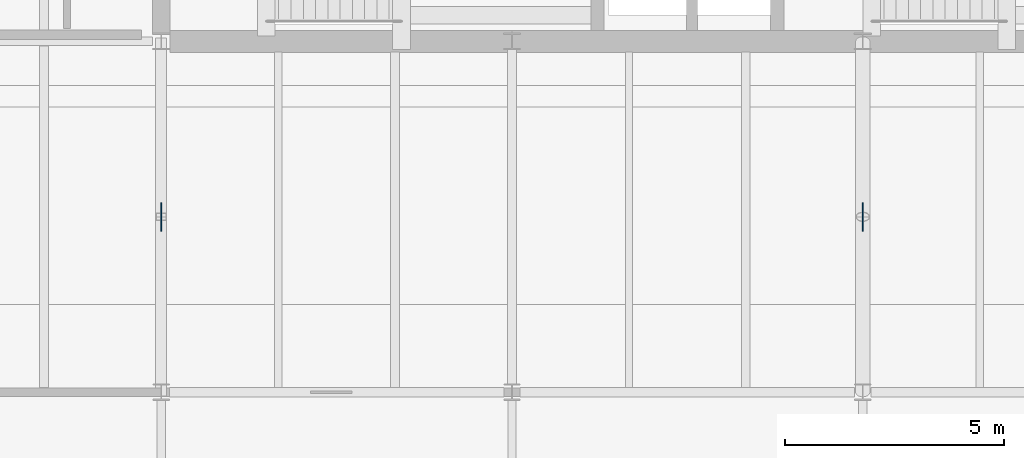
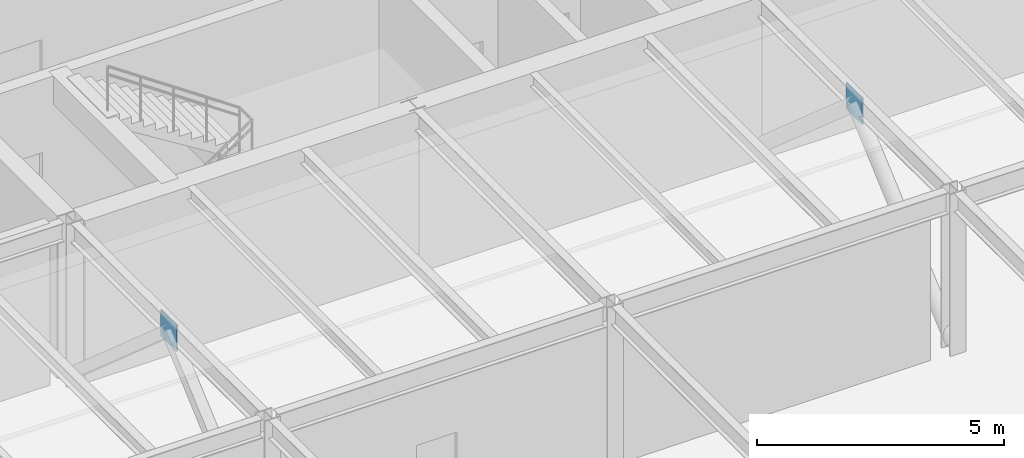
# One storey, part 37 of 50: 2 plates.
"""IFC4 building model written with IfcOpenShell, lengths in metres."""

from ifc_helpers import new_model, si_unit, direction, frame, origin, origin_2d, place, context, subcontext, project, spatial, rectangle, extrude, material, layer, layer_set, type_object, element, save


model = new_model("IFC4")

# Units and contexts
model_context = context("Model", 3, precision=1e-05, world=origin(), true_north=direction((0.0, 1.0)))
body_context = subcontext(model_context, "Body", "Model", "MODEL_VIEW")
ifc_project = project(units=[si_unit("LENGTHUNIT", "METRE"), si_unit("AREAUNIT", "SQUARE_METRE"), si_unit("VOLUMEUNIT", "CUBIC_METRE"), si_unit("PLANEANGLEUNIT", "RADIAN"), si_unit("MASSUNIT", "GRAM", prefix="KILO")], contexts=[model_context])

# Site, building, storey
site_placement = place(None, origin())
site = spatial("IfcSite", under=ifc_project, at=site_placement, CompositionType="ELEMENT")
building_placement = place(site_placement, origin())
building = spatial("IfcBuilding", under=site, at=building_placement, Name="Varnela Railside Interchange", CompositionType="ELEMENT")
storey_placement = place(building_placement, frame((0.0, 0.0, 15.39990234375)))
storey = spatial("IfcBuildingStorey", under=building, at=storey_placement, Name="L03", CompositionType="ELEMENT", Elevation=15.39990234375)

# Plates
ifc_material = material(Name="Steel AR 350 (350 MPa)", Category="steel")
ifc_layer = layer(ifc_material, 0.64990234375)
ifc_layer_set = layer_set([ifc_layer], Name="Steel AR 350 (350 MPa)")
plate_type = type_object("IfcPlateType", Name="Brace Gusset Plate GP-01", PredefinedType="SHEET", material=ifc_layer_set)
for number, where, z_axis, x_axis, name in (
    (1, (12.0, 50.0, 3.3251953125), (0.0, 0.0, 1.0), (0.0, 1.0, 0.0), "Brace Gusset Plate GP-01 (L03) (PL-027)"),
    (2, (28.0, 50.0, 3.3251953125), (0.0, 0.0, 1.0), (0.0, 1.0, 0.0), "Brace Gusset Plate GP-01 (L03) (PL-028)"),
):
    element("IfcPlate", number, at=place(storey_placement, frame(where, z_axis=z_axis, x_axis=x_axis)), inside=storey, type_object=plate_type, Name=name, PredefinedType="SHEET", context=body_context, shape_type="SweptSolid", body=[
        extrude(rectangle(XDim=0.64990234375, YDim=0.030029296875, at=origin_2d()), origin(), (0.0, 0.0, 1.0), 0.64990234375),
    ])

save(model, "model.ifc")
